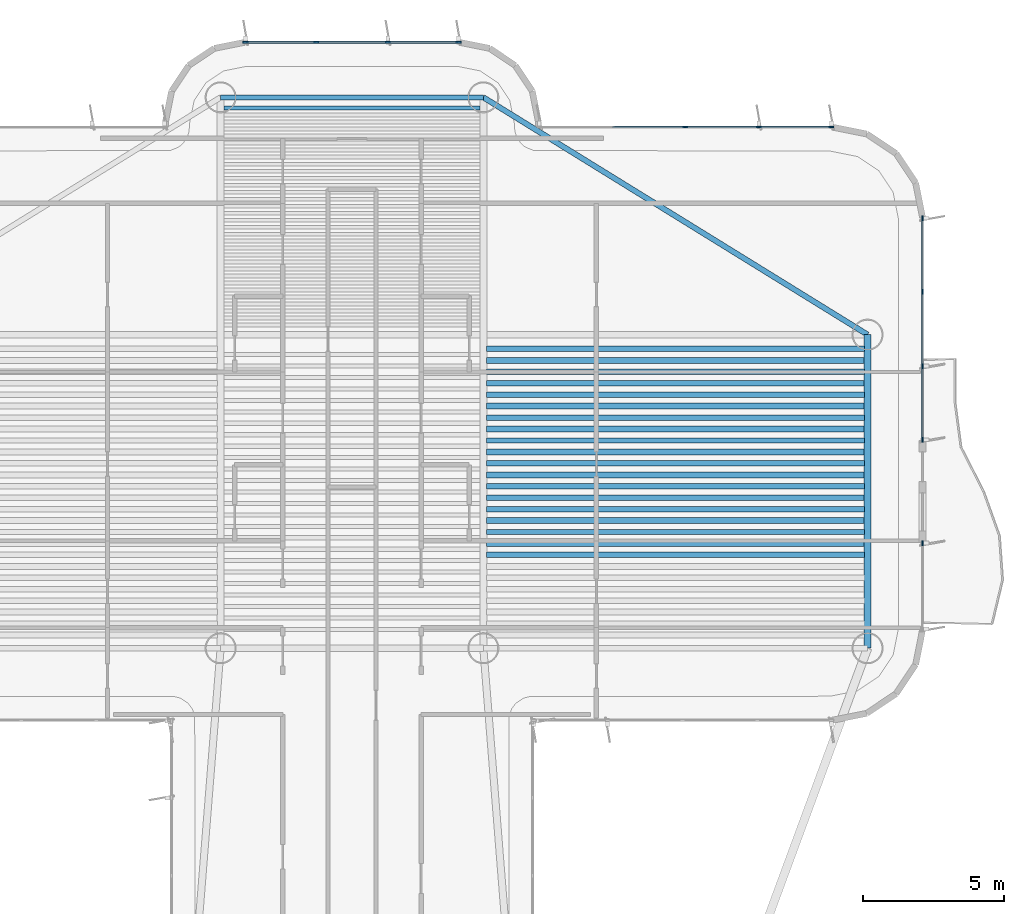
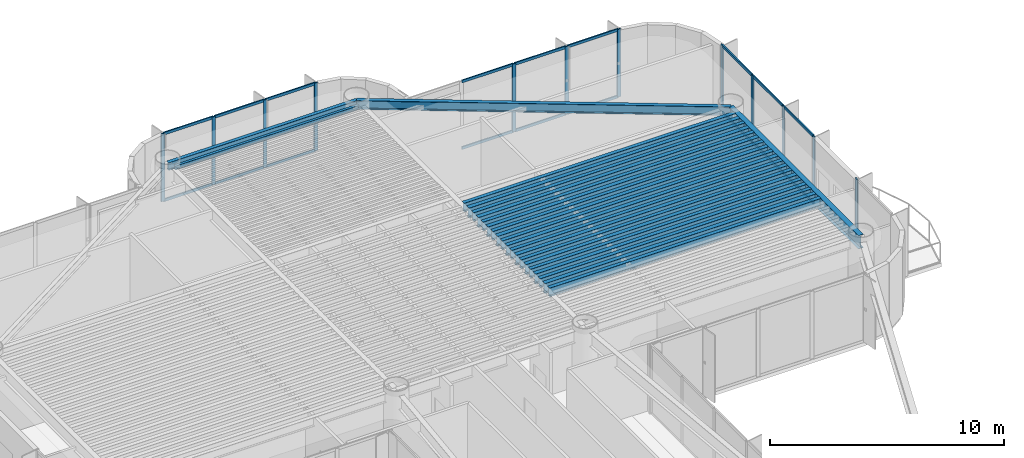
# One storey, part 7 of 15: 30 members, 23 beams, 4 elements without a shape of their own.
"""IFC4 building model written with IfcOpenShell, lengths in metres."""

from ifc_helpers import new_model, si_unit, direction, frame, origin, origin_2d, place, context, subcontext, project, spatial, rectangle, i_section, extrude, source, transform, mapped, material, layer, layer_set, material_profile, profile_set, type_object, element, aggregate, save


model = new_model("IFC4")

# Units and contexts
model_context = context("Model", 3, precision=1e-05, world=origin(), true_north=direction((0.0, 1.0)))
body_context = subcontext(model_context, "Body", "Model", "MODEL_VIEW")
ifc_project = project(units=[si_unit("LENGTHUNIT", "METRE"), si_unit("AREAUNIT", "SQUARE_METRE"), si_unit("VOLUMEUNIT", "CUBIC_METRE"), si_unit("PLANEANGLEUNIT", "RADIAN"), si_unit("MASSUNIT", "GRAM", prefix="KILO")], contexts=[model_context])

# Site, building, storey
site_placement = place(None, origin())
site = spatial("IfcSite", under=ifc_project, at=site_placement, CompositionType="ELEMENT")
building_placement = place(site_placement, origin())
building = spatial("IfcBuilding", under=site, at=building_placement, Name="Brelvock Crest Care Tower", CompositionType="ELEMENT")
storey_placement = place(building_placement, frame((0.0, 0.0, 167.760009765625)))
storey = spatial("IfcBuildingStorey", under=building, at=storey_placement, Name="L42", CompositionType="ELEMENT", Elevation=167.760009765625)

# Beams
ifc_material_1 = material(Name="Steel Grade 350", Category="steel")
ifc_material_profile_1 = material_profile(ifc_material_1, i_section(OverallWidth=0.177978515625, OverallDepth=0.406005859375, WebThickness=0.0078125, FlangeThickness=0.0126953125, FilletRadius=0.011474609375, at=origin_2d()), Name="410UB59.7")
ifc_profile_set_1 = profile_set([ifc_material_profile_1], Name="Steel Grade 350")
beam_type_1 = type_object("IfcBeamType", Name="BM-SP1", PredefinedType="SPANDREL", material=ifc_profile_set_1)
shared_shape_1 = source(origin(), body_context, "Body", "SweptSolid", [
    extrude(i_section(OverallWidth=0.177978515625, OverallDepth=0.406005859375, WebThickness=0.0078125, FlangeThickness=0.0126953125, FilletRadius=0.011474609375, at=origin_2d()), origin(), (0.0, 0.0, 1.0), 9.2998046875),
])
beam_1_placement = place(storey_placement, frame((31.35009765625, 54.449951171875, 3.326904296875), z_axis=(1.0, 0.0, 0.0), x_axis=(0.0, 1.0, 0.0)))
element("IfcBeam", 1, at=beam_1_placement, inside=storey, type_object=beam_type_1, Name="BM-TWR-L42-08", PredefinedType="SPANDREL", context=body_context, shape_type="MappedRepresentation", body=[
    mapped(shared_shape_1, transform((0.0, 0.0, 0.0), x_axis=(1.0, 0.0, 0.0), y_axis=(0.0, 1.0, 0.0), z_axis=(0.0, 0.0, 1.0), scale=1.0)),
])
ifc_material_profile_2 = material_profile(ifc_material_1, i_section(OverallWidth=0.134033203125, OverallDepth=0.20703125, WebThickness=0.00634765625, FlangeThickness=0.009521484375, FilletRadius=0.0087890625, at=origin_2d()), Name="200UB29.8")
ifc_profile_set_2 = profile_set([ifc_material_profile_2], Name="Steel Grade 350")
beam_type_2 = type_object("IfcBeamType", Name="BM-J4", PredefinedType="JOIST", material=ifc_profile_set_2)
shared_shape_2 = source(origin(), body_context, "Body", "SweptSolid", [
    extrude(i_section(OverallWidth=0.134033203125, OverallDepth=0.20703125, WebThickness=0.00634765625, FlangeThickness=0.009521484375, FilletRadius=0.0087890625, at=origin_2d()), origin(), (0.0, 0.0, 1.0), 9.06982421875),
])
beam_2_placement = place(storey_placement, frame((31.465087890625, 54.06787109375, 3.426513671875), z_axis=(1.0, 0.0, 0.0), x_axis=(0.0, 1.0, 0.0)))
element("IfcBeam", 2, at=beam_2_placement, inside=storey, type_object=beam_type_2, Name="BM-JN-L42-32", PredefinedType="JOIST", context=body_context, shape_type="MappedRepresentation", body=[
    mapped(shared_shape_2, transform((0.0, 0.0, 0.0), x_axis=(1.0, 0.0, 0.0), y_axis=(0.0, 1.0, 0.0), z_axis=(0.0, 0.0, 1.0), scale=1.0)),
])
ifc_material_profile_3 = material_profile(ifc_material_1, i_section(OverallWidth=0.208984375, OverallDepth=0.532958984375, WebThickness=0.01025390625, FlangeThickness=0.015625, FilletRadius=0.013916015625, at=origin_2d()), Name="530UB92.4")
ifc_profile_set_3 = profile_set([ifc_material_profile_3], Name="Steel Grade 350")
beam_type_3 = type_object("IfcBeamType", Name="BM-G2", PredefinedType="BEAM", material=ifc_profile_set_3)
shared_shape_3 = source(origin(), body_context, "Body", "SweptSolid", [
    extrude(i_section(OverallWidth=0.208984375, OverallDepth=0.532958984375, WebThickness=0.01025390625, FlangeThickness=0.015625, FilletRadius=0.013916015625, at=origin_2d()), origin(), (0.0, 0.0, 1.0), 13.3701171875),
])
for number, where, z_axis, x_axis, name in (
    (3, (40.764892578125, 38.657470703125, 3.263427734375), (1.0, 0.0, 0.0), (0.0, 1.0, 0.0), "BM-JE-L42-9"),
    (4, (40.764892578125, 39.4677734375, 3.263427734375), (1.0, 0.0, 0.0), (0.0, 1.0, 0.0), "BM-JE-L42-11"),
    (5, (40.764892578125, 40.278076171875, 3.263427734375), (1.0, 0.0, 0.0), (0.0, 1.0, 0.0), "BM-JE-L42-13"),
    (6, (40.764892578125, 41.08837890625, 3.263427734375), (1.0, 0.0, 0.0), (0.0, 1.0, 0.0), "BM-JE-L42-15"),
    (7, (40.764892578125, 41.898681640625, 3.263427734375), (1.0, 0.0, 0.0), (0.0, 1.0, 0.0), "BM-JE-L42-17"),
    (8, (40.764892578125, 42.708984375, 3.263427734375), (1.0, 0.0, 0.0), (0.0, 1.0, 0.0), "BM-JE-L42-19"),
    (9, (40.764892578125, 43.519287109375, 3.263427734375), (1.0, 0.0, 0.0), (0.0, 1.0, 0.0), "BM-JE-L42-21"),
    (10, (40.764892578125, 44.32958984375, 3.263427734375), (1.0, 0.0, 0.0), (0.0, 1.0, 0.0), "BM-JE-L42-23"),
    (11, (40.764892578125, 45.139892578125, 3.263427734375), (1.0, 0.0, 0.0), (0.0, 1.0, 0.0), "BM-JE-L42-25"),
):
    element("IfcBeam", number, at=place(storey_placement, frame(where, z_axis=z_axis, x_axis=x_axis)), inside=storey, type_object=beam_type_3, Name=name, PredefinedType="BEAM", context=body_context, shape_type="MappedRepresentation", body=[
        mapped(shared_shape_3, transform((0.0, 0.0, 0.0), x_axis=(1.0, 0.0, 0.0), y_axis=(0.0, 1.0, 0.0), z_axis=(0.0, 0.0, 1.0), scale=1.0)),
    ])
ifc_material_profile_4 = material_profile(ifc_material_1, i_section(OverallWidth=0.19091796875, OverallDepth=0.4599609375, WebThickness=0.010009765625, FlangeThickness=0.01611328125, FilletRadius=0.011474609375, at=origin_2d()), Name="460UB82.1")
ifc_profile_set_4 = profile_set([ifc_material_profile_4], Name="Steel Grade 350")
beam_type_4 = type_object("IfcBeamType", Name="BM-G3", PredefinedType="BEAM", material=ifc_profile_set_4)
shared_shape_4 = source(origin(), body_context, "Body", "SweptSolid", [
    extrude(i_section(OverallWidth=0.19091796875, OverallDepth=0.4599609375, WebThickness=0.010009765625, FlangeThickness=0.01611328125, FilletRadius=0.011474609375, at=origin_2d()), origin(), (0.0, 0.0, 1.0), 13.3701171875),
])
for number, where, z_axis, x_axis, name in (
    (12, (40.764892578125, 38.252197265625, 3.300048828125), (1.0, 0.0, 0.0), (0.0, 1.0, 0.0), "BM-JE-L42-8"),
    (13, (40.764892578125, 39.0625, 3.300048828125), (1.0, 0.0, 0.0), (0.0, 1.0, 0.0), "BM-JE-L42-10"),
    (14, (40.764892578125, 39.872802734375, 3.300048828125), (1.0, 0.0, 0.0), (0.0, 1.0, 0.0), "BM-JE-L42-12"),
    (15, (40.764892578125, 40.68310546875, 3.300048828125), (1.0, 0.0, 0.0), (0.0, 1.0, 0.0), "BM-JE-L42-14"),
    (16, (40.764892578125, 41.493408203125, 3.300048828125), (1.0, 0.0, 0.0), (0.0, 1.0, 0.0), "BM-JE-L42-16"),
    (17, (40.764892578125, 42.3037109375, 3.300048828125), (1.0, 0.0, 0.0), (0.0, 1.0, 0.0), "BM-JE-L42-18"),
    (18, (40.764892578125, 43.114013671875, 3.300048828125), (1.0, 0.0, 0.0), (0.0, 1.0, 0.0), "BM-JE-L42-20"),
    (19, (40.764892578125, 43.92431640625, 3.300048828125), (1.0, 0.0, 0.0), (0.0, 1.0, 0.0), "BM-JE-L42-22"),
    (20, (40.764892578125, 44.734619140625, 3.300048828125), (1.0, 0.0, 0.0), (0.0, 1.0, 0.0), "BM-JE-L42-24"),
    (21, (40.764892578125, 45.544921875, 3.300048828125), (1.0, 0.0, 0.0), (0.0, 1.0, 0.0), "BM-JE-L42-26"),
):
    element("IfcBeam", number, at=place(storey_placement, frame(where, z_axis=z_axis, x_axis=x_axis)), inside=storey, type_object=beam_type_4, Name=name, PredefinedType="BEAM", context=body_context, shape_type="MappedRepresentation", body=[
        mapped(shared_shape_4, transform((0.0, 0.0, 0.0), x_axis=(1.0, 0.0, 0.0), y_axis=(0.0, 1.0, 0.0), z_axis=(0.0, 0.0, 1.0), scale=1.0)),
    ])
ifc_material_profile_5 = material_profile(ifc_material_1, i_section(OverallWidth=0.25, OverallDepth=0.699951171875, WebThickness=0.011962890625, FlangeThickness=0.02001953125, at=origin_2d()), Name="700WB150")
ifc_profile_set_5 = profile_set([ifc_material_profile_5], Name="Steel Grade 350")
beam_type_5 = type_object("IfcBeamType", Name="BM-G4", PredefinedType="BEAM", material=ifc_profile_set_5)
shared_shape_5 = source(origin(), body_context, "Body", "SweptSolid", [
    extrude(i_section(OverallWidth=0.25, OverallDepth=0.699951171875, WebThickness=0.011962890625, FlangeThickness=0.02001953125, at=origin_2d()), origin(), (0.0, 0.0, 1.0), 11.10009765625),
])
beam_3_placement = place(storey_placement, frame((54.25, 34.949951171875, 3.179931640625), z_axis=(0.0, 1.0, 0.0), x_axis=(-1.0, 0.0, 0.0)))
element("IfcBeam", 22, at=beam_3_placement, inside=storey, type_object=beam_type_5, Name="BM-TWR-L42-02", PredefinedType="BEAM", context=body_context, shape_type="MappedRepresentation", body=[
    mapped(shared_shape_5, transform((0.0, 0.0, 0.0), x_axis=(1.0, 0.0, 0.0), y_axis=(0.0, 1.0, 0.0), z_axis=(0.0, 0.0, 1.0), scale=1.0)),
])
ifc_material_profile_6 = material_profile(ifc_material_1, i_section(OverallWidth=0.19091796875, OverallDepth=0.4599609375, WebThickness=0.010009765625, FlangeThickness=0.01611328125, FilletRadius=0.011474609375, at=origin_2d()), Name="460UB82.1")
ifc_profile_set_6 = profile_set([ifc_material_profile_6], Name="Steel Grade 350")
beam_type_6 = type_object("IfcBeamType", Name="BM-SP2", PredefinedType="SPANDREL", material=ifc_profile_set_6)
shared_shape_6 = source(origin(), body_context, "Body", "SweptSolid", [
    extrude(i_section(OverallWidth=0.19091796875, OverallDepth=0.4599609375, WebThickness=0.010009765625, FlangeThickness=0.01611328125, FilletRadius=0.011474609375, at=origin_2d()), origin(), (0.0, 0.0, 1.0), 15.985107421875),
])
beam_4_placement = place(storey_placement, frame((40.64990234375, 54.449951171875, 3.300048828125), z_axis=(0.850802415717, -0.525485727124, 0.0), x_axis=(0.525485727124, 0.850802415717, 0.0)))
element("IfcBeam", 23, at=beam_4_placement, inside=storey, type_object=beam_type_6, Name="BM-TWR-L42-07", PredefinedType="SPANDREL", context=body_context, shape_type="MappedRepresentation", body=[
    mapped(shared_shape_6, transform((0.0, 0.0, 0.0), x_axis=(1.0, 0.0, 0.0), y_axis=(0.0, 1.0, 0.0), z_axis=(0.0, 0.0, 1.0), scale=1.0)),
])

# Curtain wall, members
ifc_material_2 = material(Name="Dark Glass Double Glazed Low-E", Category="glass")
ifc_layer = layer(ifc_material_2, 0.22509765625, Name="CWS-4")
ifc_layer_set = layer_set([ifc_layer], Name="Dark Glass Double Glazed Low-E")
curtain_wall_type = type_object("IfcCurtainWallType", Name="CWS-4", PredefinedType="NOTDEFINED", material=ifc_layer_set)
curtain_wall_1_placement = place(storey_placement, origin())
curtain_wall_1 = element("IfcCurtainWall", 24, at=curtain_wall_1_placement, inside=storey, type_object=curtain_wall_type, Name="L42 Curtain Wall E28", PredefinedType="NOTDEFINED")
ifc_material_3 = material(Name="Aluminium 6063-T6", Category="aluminium")
ifc_material_profile_7 = material_profile(ifc_material_3, rectangle(XDim=0.06005859375, YDim=0.179931640625, at=origin_2d()), Name="ALU60x180")
ifc_profile_set_7 = profile_set([ifc_material_profile_7], Name="Aluminium 6063-T6")
member_type_1 = type_object("IfcMemberType", Name="CWM-2", PredefinedType="MULLION", material=ifc_profile_set_7)
shared_shape_7 = source(origin(), body_context, "Body", "SweptSolid", [
    extrude(rectangle(XDim=0.06005859375, YDim=0.179931640625, at=origin_2d()), origin(), (0.0, 0.0, 1.0), 3.530029296875),
])
member_1_placement = place(storey_placement, frame((32.22998046875, 56.39990234375, 0.0), z_axis=(0.0, 0.0, 1.0), x_axis=(0.0, 1.0, 0.0)))
member_1 = element("IfcMember", 25, at=member_1_placement, type_object=member_type_1, Name="CW-4 mullion 1", PredefinedType="MULLION", context=body_context, shape_type="MappedRepresentation", body=[
    mapped(shared_shape_7, transform((0.0, 0.0, 0.0), x_axis=(1.0, 0.0, 0.0), y_axis=(0.0, 1.0, 0.0), z_axis=(0.0, 0.0, 1.0), scale=1.0)),
])
member_2_placement = place(storey_placement, frame((34.7333984375, 56.39990234375, 0.0), z_axis=(0.0, 0.0, 1.0), x_axis=(0.0, 1.0, 0.0)))
member_2 = element("IfcMember", 26, at=member_2_placement, type_object=member_type_1, Name="CW-4 mullion 2", PredefinedType="MULLION", context=body_context, shape_type="MappedRepresentation", body=[
    mapped(shared_shape_7, transform((0.0, 0.0, 0.0), x_axis=(1.0, 0.0, 0.0), y_axis=(0.0, 1.0, 0.0), z_axis=(0.0, 0.0, 1.0), scale=1.0)),
])
member_3_placement = place(storey_placement, frame((37.2666015625, 56.39990234375, 0.0), z_axis=(0.0, 0.0, 1.0), x_axis=(0.0, 1.0, 0.0)))
member_3 = element("IfcMember", 27, at=member_3_placement, type_object=member_type_1, Name="CW-4 mullion 3", PredefinedType="MULLION", context=body_context, shape_type="MappedRepresentation", body=[
    mapped(shared_shape_7, transform((0.0, 0.0, 0.0), x_axis=(1.0, 0.0, 0.0), y_axis=(0.0, 1.0, 0.0), z_axis=(0.0, 0.0, 1.0), scale=1.0)),
])
member_4_placement = place(storey_placement, frame((39.77001953125, 56.39990234375, 0.0), z_axis=(0.0, 0.0, 1.0), x_axis=(0.0, 1.0, 0.0)))
member_4 = element("IfcMember", 28, at=member_4_placement, type_object=member_type_1, Name="CW-4 mullion 4", PredefinedType="MULLION", context=body_context, shape_type="MappedRepresentation", body=[
    mapped(shared_shape_7, transform((0.0, 0.0, 0.0), x_axis=(1.0, 0.0, 0.0), y_axis=(0.0, 1.0, 0.0), z_axis=(0.0, 0.0, 1.0), scale=1.0)),
])

curtain_wall_2_placement = place(storey_placement, origin())
curtain_wall_2 = element("IfcCurtainWall", 29, at=curtain_wall_2_placement, inside=storey, type_object=curtain_wall_type, Name="L42 Curtain Wall E34", PredefinedType="NOTDEFINED")
member_5_placement = place(storey_placement, frame((47.800048828125, 53.39990234375, 0.0), z_axis=(0.0, 0.0, 1.0), x_axis=(0.0, 1.0, 0.0)))
member_5 = element("IfcMember", 30, at=member_5_placement, type_object=member_type_1, Name="CW-4 mullion 3", PredefinedType="MULLION", context=body_context, shape_type="MappedRepresentation", body=[
    mapped(shared_shape_7, transform((0.0, 0.0, 0.0), x_axis=(1.0, 0.0, 0.0), y_axis=(0.0, 1.0, 0.0), z_axis=(0.0, 0.0, 1.0), scale=1.0)),
])
member_6_placement = place(storey_placement, frame((50.39990234375, 53.39990234375, 0.0), z_axis=(0.0, 0.0, 1.0), x_axis=(0.0, 1.0, 0.0)))
member_6 = element("IfcMember", 31, at=member_6_placement, type_object=member_type_1, Name="CW-4 mullion 4", PredefinedType="MULLION", context=body_context, shape_type="MappedRepresentation", body=[
    mapped(shared_shape_7, transform((0.0, 0.0, 0.0), x_axis=(1.0, 0.0, 0.0), y_axis=(0.0, 1.0, 0.0), z_axis=(0.0, 0.0, 1.0), scale=1.0)),
])
member_7_placement = place(storey_placement, frame((52.969970703125, 53.39990234375, 0.0), z_axis=(0.0, 0.0, 1.0), x_axis=(0.0, 1.0, 0.0)))
member_7 = element("IfcMember", 32, at=member_7_placement, type_object=member_type_1, Name="CW-4 mullion 5", PredefinedType="MULLION", context=body_context, shape_type="MappedRepresentation", body=[
    mapped(shared_shape_7, transform((0.0, 0.0, 0.0), x_axis=(1.0, 0.0, 0.0), y_axis=(0.0, 1.0, 0.0), z_axis=(0.0, 0.0, 1.0), scale=1.0)),
])

curtain_wall_3_placement = place(storey_placement, origin())
curtain_wall_3 = element("IfcCurtainWall", 33, at=curtain_wall_3_placement, inside=storey, type_object=curtain_wall_type, Name="L42 Curtain Wall E39A", PredefinedType="NOTDEFINED")
member_8_placement = place(storey_placement, frame((56.199951171875, 50.169921875, 0.0), z_axis=(0.0, 0.0, 1.0), x_axis=(1.0, 0.0, 0.0)))
member_8 = element("IfcMember", 34, at=member_8_placement, type_object=member_type_1, Name="CW-4 mullion 1", PredefinedType="MULLION", context=body_context, shape_type="MappedRepresentation", body=[
    mapped(shared_shape_7, transform((0.0, 0.0, 0.0), x_axis=(1.0, 0.0, 0.0), y_axis=(0.0, 1.0, 0.0), z_axis=(0.0, 0.0, 1.0), scale=1.0)),
])
member_9_placement = place(storey_placement, frame((56.199951171875, 47.566650390625, 0.0), z_axis=(0.0, 0.0, 1.0), x_axis=(1.0, 0.0, 0.0)))
member_9 = element("IfcMember", 35, at=member_9_placement, type_object=member_type_1, Name="CW-4 mullion 2", PredefinedType="MULLION", context=body_context, shape_type="MappedRepresentation", body=[
    mapped(shared_shape_7, transform((0.0, 0.0, 0.0), x_axis=(1.0, 0.0, 0.0), y_axis=(0.0, 1.0, 0.0), z_axis=(0.0, 0.0, 1.0), scale=1.0)),
])
member_10_placement = place(storey_placement, frame((56.199951171875, 44.933349609375, 0.0), z_axis=(0.0, 0.0, 1.0), x_axis=(1.0, 0.0, 0.0)))
member_10 = element("IfcMember", 36, at=member_10_placement, type_object=member_type_1, Name="CW-4 mullion 3", PredefinedType="MULLION", context=body_context, shape_type="MappedRepresentation", body=[
    mapped(shared_shape_7, transform((0.0, 0.0, 0.0), x_axis=(1.0, 0.0, 0.0), y_axis=(0.0, 1.0, 0.0), z_axis=(0.0, 0.0, 1.0), scale=1.0)),
])
member_11_placement = place(storey_placement, frame((56.199951171875, 42.330078125, 0.0), z_axis=(0.0, 0.0, 1.0), x_axis=(1.0, 0.0, 0.0)))
member_11 = element("IfcMember", 37, at=member_11_placement, type_object=member_type_1, Name="CW-4 mullion 4", PredefinedType="MULLION", context=body_context, shape_type="MappedRepresentation", body=[
    mapped(shared_shape_7, transform((0.0, 0.0, 0.0), x_axis=(1.0, 0.0, 0.0), y_axis=(0.0, 1.0, 0.0), z_axis=(0.0, 0.0, 1.0), scale=1.0)),
])

# Curtain wall, member
curtain_wall_4_placement = place(storey_placement, origin())
curtain_wall_4 = element("IfcCurtainWall", 38, at=curtain_wall_4_placement, inside=storey, type_object=curtain_wall_type, Name="L42 Curtain Wall E39B", PredefinedType="NOTDEFINED")
member_12_placement = place(storey_placement, frame((56.199951171875, 38.669921875, 0.0), z_axis=(0.0, 0.0, 1.0), x_axis=(1.0, 0.0, 0.0)))
member_12 = element("IfcMember", 39, at=member_12_placement, type_object=member_type_1, Name="CW-4 mullion 1", PredefinedType="MULLION", context=body_context, shape_type="MappedRepresentation", body=[
    mapped(shared_shape_7, transform((0.0, 0.0, 0.0), x_axis=(1.0, 0.0, 0.0), y_axis=(0.0, 1.0, 0.0), z_axis=(0.0, 0.0, 1.0), scale=1.0)),
])
aggregate(curtain_wall_4, [member_12])

# Member
ifc_material_profile_8 = material_profile(ifc_material_3, rectangle(XDim=0.06005859375, YDim=0.139892578125, at=origin_2d()), Name="ALU60x140")
ifc_profile_set_8 = profile_set([ifc_material_profile_8], Name="Aluminium 6063-T6")
member_type_2 = type_object("IfcMemberType", Name="CWT-2", PredefinedType="USERDEFINED", material=ifc_profile_set_8)
shared_shape_8 = source(origin(), body_context, "Body", "SweptSolid", [
    extrude(rectangle(XDim=0.06005859375, YDim=0.139892578125, at=origin_2d()), origin(), (0.0, 0.0, 1.0), 2.443359375),
])
member_13_placement = place(storey_placement, frame((32.260009765625, 56.39990234375, 0.030029296875), z_axis=(1.0, 0.0, 0.0), x_axis=(0.0, 1.0, 0.0)))
member_13 = element("IfcMember", 40, at=member_13_placement, type_object=member_type_2, Name="CW-4 transom 1.1", ObjectType="TRANSOM", PredefinedType="USERDEFINED", context=body_context, shape_type="MappedRepresentation", body=[
    mapped(shared_shape_8, transform((0.0, 0.0, 0.0), x_axis=(1.0, 0.0, 0.0), y_axis=(0.0, 1.0, 0.0), z_axis=(0.0, 0.0, 1.0), scale=1.0)),
])

member_14_placement = place(storey_placement, frame((32.260009765625, 56.39990234375, 3.5), z_axis=(1.0, 0.0, 0.0), x_axis=(0.0, 1.0, 0.0)))
member_14 = element("IfcMember", 41, at=member_14_placement, type_object=member_type_2, Name="CW-4 transom 1.2", ObjectType="TRANSOM", PredefinedType="USERDEFINED", context=body_context, shape_type="MappedRepresentation", body=[
    mapped(shared_shape_8, transform((0.0, 0.0, 0.0), x_axis=(1.0, 0.0, 0.0), y_axis=(0.0, 1.0, 0.0), z_axis=(0.0, 0.0, 1.0), scale=1.0)),
])

member_15_placement = place(storey_placement, frame((37.296630859375, 56.39990234375, 0.030029296875), z_axis=(1.0, 0.0, 0.0), x_axis=(0.0, 1.0, 0.0)))
member_15 = element("IfcMember", 42, at=member_15_placement, type_object=member_type_2, Name="CW-4 transom 3.1", ObjectType="TRANSOM", PredefinedType="USERDEFINED", context=body_context, shape_type="MappedRepresentation", body=[
    mapped(shared_shape_8, transform((0.0, 0.0, 0.0), x_axis=(1.0, 0.0, 0.0), y_axis=(0.0, 1.0, 0.0), z_axis=(0.0, 0.0, 1.0), scale=1.0)),
])

member_16_placement = place(storey_placement, frame((37.296630859375, 56.39990234375, 3.5), z_axis=(1.0, 0.0, 0.0), x_axis=(0.0, 1.0, 0.0)))
member_16 = element("IfcMember", 43, at=member_16_placement, type_object=member_type_2, Name="CW-4 transom 3.2", ObjectType="TRANSOM", PredefinedType="USERDEFINED", context=body_context, shape_type="MappedRepresentation", body=[
    mapped(shared_shape_8, transform((0.0, 0.0, 0.0), x_axis=(1.0, 0.0, 0.0), y_axis=(0.0, 1.0, 0.0), z_axis=(0.0, 0.0, 1.0), scale=1.0)),
])

shared_shape_9 = source(origin(), body_context, "Body", "SweptSolid", [
    extrude(rectangle(XDim=0.06005859375, YDim=0.139892578125, at=origin_2d()), origin(), (0.0, 0.0, 1.0), 2.47314453125),
])
member_17_placement = place(storey_placement, frame((34.763427734375, 56.39990234375, 0.030029296875), z_axis=(1.0, 0.0, 0.0), x_axis=(0.0, 1.0, 0.0)))
member_17 = element("IfcMember", 44, at=member_17_placement, type_object=member_type_2, Name="CW-4 transom 2.1", ObjectType="TRANSOM", PredefinedType="USERDEFINED", context=body_context, shape_type="MappedRepresentation", body=[
    mapped(shared_shape_9, transform((0.0, 0.0, 0.0), x_axis=(1.0, 0.0, 0.0), y_axis=(0.0, 1.0, 0.0), z_axis=(0.0, 0.0, 1.0), scale=1.0)),
])

member_18_placement = place(storey_placement, frame((34.763427734375, 56.39990234375, 3.5), z_axis=(1.0, 0.0, 0.0), x_axis=(0.0, 1.0, 0.0)))
member_18 = element("IfcMember", 45, at=member_18_placement, type_object=member_type_2, Name="CW-4 transom 2.2", ObjectType="TRANSOM", PredefinedType="USERDEFINED", context=body_context, shape_type="MappedRepresentation", body=[
    mapped(shared_shape_9, transform((0.0, 0.0, 0.0), x_axis=(1.0, 0.0, 0.0), y_axis=(0.0, 1.0, 0.0), z_axis=(0.0, 0.0, 1.0), scale=1.0)),
])

aggregate(curtain_wall_1, [member_1, member_2, member_3, member_4, member_13, member_14, member_17, member_18, member_15, member_16])

shared_shape_10 = source(origin(), body_context, "Body", "SweptSolid", [
    extrude(rectangle(XDim=0.06005859375, YDim=0.139892578125, at=origin_2d()), origin(), (0.0, 0.0, 1.0), 2.510009765625),
])
member_19_placement = place(storey_placement, frame((50.429931640625, 53.39990234375, 0.030029296875), z_axis=(1.0, 0.0, 0.0), x_axis=(0.0, 1.0, 0.0)))
member_19 = element("IfcMember", 46, at=member_19_placement, type_object=member_type_2, Name="CW-4 transom 4.1", ObjectType="TRANSOM", PredefinedType="USERDEFINED", context=body_context, shape_type="MappedRepresentation", body=[
    mapped(shared_shape_10, transform((0.0, 0.0, 0.0), x_axis=(1.0, 0.0, 0.0), y_axis=(0.0, 1.0, 0.0), z_axis=(0.0, 0.0, 1.0), scale=1.0)),
])

member_20_placement = place(storey_placement, frame((50.429931640625, 53.39990234375, 3.5), z_axis=(1.0, 0.0, 0.0), x_axis=(0.0, 1.0, 0.0)))
member_20 = element("IfcMember", 47, at=member_20_placement, type_object=member_type_2, Name="CW-4 transom 4.2", ObjectType="TRANSOM", PredefinedType="USERDEFINED", context=body_context, shape_type="MappedRepresentation", body=[
    mapped(shared_shape_10, transform((0.0, 0.0, 0.0), x_axis=(1.0, 0.0, 0.0), y_axis=(0.0, 1.0, 0.0), z_axis=(0.0, 0.0, 1.0), scale=1.0)),
])

shared_shape_11 = source(origin(), body_context, "Body", "SweptSolid", [
    extrude(rectangle(XDim=0.06005859375, YDim=0.139892578125, at=origin_2d()), origin(), (0.0, 0.0, 1.0), 2.5400390625),
])
member_21_placement = place(storey_placement, frame((45.22998046875, 53.39990234375, 0.030029296875), z_axis=(1.0, 0.0, 0.0), x_axis=(0.0, 1.0, 0.0)))
member_21 = element("IfcMember", 48, at=member_21_placement, type_object=member_type_2, Name="CW-4 transom 2.1", ObjectType="TRANSOM", PredefinedType="USERDEFINED", context=body_context, shape_type="MappedRepresentation", body=[
    mapped(shared_shape_11, transform((0.0, 0.0, 0.0), x_axis=(1.0, 0.0, 0.0), y_axis=(0.0, 1.0, 0.0), z_axis=(0.0, 0.0, 1.0), scale=1.0)),
])

member_22_placement = place(storey_placement, frame((45.22998046875, 53.39990234375, 3.5), z_axis=(1.0, 0.0, 0.0), x_axis=(0.0, 1.0, 0.0)))
member_22 = element("IfcMember", 49, at=member_22_placement, type_object=member_type_2, Name="CW-4 transom 2.2", ObjectType="TRANSOM", PredefinedType="USERDEFINED", context=body_context, shape_type="MappedRepresentation", body=[
    mapped(shared_shape_11, transform((0.0, 0.0, 0.0), x_axis=(1.0, 0.0, 0.0), y_axis=(0.0, 1.0, 0.0), z_axis=(0.0, 0.0, 1.0), scale=1.0)),
])

member_23_placement = place(storey_placement, frame((47.830078125, 53.39990234375, 0.030029296875), z_axis=(1.0, 0.0, 0.0), x_axis=(0.0, 1.0, 0.0)))
member_23 = element("IfcMember", 50, at=member_23_placement, type_object=member_type_2, Name="CW-4 transom 3.1", ObjectType="TRANSOM", PredefinedType="USERDEFINED", context=body_context, shape_type="MappedRepresentation", body=[
    mapped(shared_shape_11, transform((0.0, 0.0, 0.0), x_axis=(1.0, 0.0, 0.0), y_axis=(0.0, 1.0, 0.0), z_axis=(0.0, 0.0, 1.0), scale=1.0)),
])

member_24_placement = place(storey_placement, frame((47.830078125, 53.39990234375, 3.5), z_axis=(1.0, 0.0, 0.0), x_axis=(0.0, 1.0, 0.0)))
member_24 = element("IfcMember", 51, at=member_24_placement, type_object=member_type_2, Name="CW-4 transom 3.2", ObjectType="TRANSOM", PredefinedType="USERDEFINED", context=body_context, shape_type="MappedRepresentation", body=[
    mapped(shared_shape_11, transform((0.0, 0.0, 0.0), x_axis=(1.0, 0.0, 0.0), y_axis=(0.0, 1.0, 0.0), z_axis=(0.0, 0.0, 1.0), scale=1.0)),
])

aggregate(curtain_wall_2, [member_5, member_6, member_7, member_21, member_22, member_23, member_24, member_19, member_20])

shared_shape_12 = source(origin(), body_context, "Body", "SweptSolid", [
    extrude(rectangle(XDim=0.06005859375, YDim=0.139892578125, at=origin_2d()), origin(), (0.0, 0.0, 1.0), 2.543212890625),
])
member_25_placement = place(storey_placement, frame((56.199951171875, 50.139892578125, 0.030029296875), z_axis=(0.0, -1.0, 0.0), x_axis=(1.0, 0.0, 0.0)))
member_25 = element("IfcMember", 52, at=member_25_placement, type_object=member_type_2, Name="CW-4 transom 1.1", ObjectType="TRANSOM", PredefinedType="USERDEFINED", context=body_context, shape_type="MappedRepresentation", body=[
    mapped(shared_shape_12, transform((0.0, 0.0, 0.0), x_axis=(1.0, 0.0, 0.0), y_axis=(0.0, 1.0, 0.0), z_axis=(0.0, 0.0, 1.0), scale=1.0)),
])

member_26_placement = place(storey_placement, frame((56.199951171875, 50.139892578125, 3.5), z_axis=(0.0, -1.0, 0.0), x_axis=(1.0, 0.0, 0.0)))
member_26 = element("IfcMember", 53, at=member_26_placement, type_object=member_type_2, Name="CW-4 transom 1.2", ObjectType="TRANSOM", PredefinedType="USERDEFINED", context=body_context, shape_type="MappedRepresentation", body=[
    mapped(shared_shape_12, transform((0.0, 0.0, 0.0), x_axis=(1.0, 0.0, 0.0), y_axis=(0.0, 1.0, 0.0), z_axis=(0.0, 0.0, 1.0), scale=1.0)),
])

member_27_placement = place(storey_placement, frame((56.199951171875, 44.9033203125, 0.030029296875), z_axis=(0.0, -1.0, 0.0), x_axis=(1.0, 0.0, 0.0)))
member_27 = element("IfcMember", 54, at=member_27_placement, type_object=member_type_2, Name="CW-4 transom 3.1", ObjectType="TRANSOM", PredefinedType="USERDEFINED", context=body_context, shape_type="MappedRepresentation", body=[
    mapped(shared_shape_12, transform((0.0, 0.0, 0.0), x_axis=(1.0, 0.0, 0.0), y_axis=(0.0, 1.0, 0.0), z_axis=(0.0, 0.0, 1.0), scale=1.0)),
])

member_28_placement = place(storey_placement, frame((56.199951171875, 44.9033203125, 3.5), z_axis=(0.0, -1.0, 0.0), x_axis=(1.0, 0.0, 0.0)))
member_28 = element("IfcMember", 55, at=member_28_placement, type_object=member_type_2, Name="CW-4 transom 3.2", ObjectType="TRANSOM", PredefinedType="USERDEFINED", context=body_context, shape_type="MappedRepresentation", body=[
    mapped(shared_shape_12, transform((0.0, 0.0, 0.0), x_axis=(1.0, 0.0, 0.0), y_axis=(0.0, 1.0, 0.0), z_axis=(0.0, 0.0, 1.0), scale=1.0)),
])

shared_shape_13 = source(origin(), body_context, "Body", "SweptSolid", [
    extrude(rectangle(XDim=0.06005859375, YDim=0.139892578125, at=origin_2d()), origin(), (0.0, 0.0, 1.0), 2.5732421875),
])
member_29_placement = place(storey_placement, frame((56.199951171875, 47.53662109375, 0.030029296875), z_axis=(0.0, -1.0, 0.0), x_axis=(1.0, 0.0, 0.0)))
member_29 = element("IfcMember", 56, at=member_29_placement, type_object=member_type_2, Name="CW-4 transom 2.1", ObjectType="TRANSOM", PredefinedType="USERDEFINED", context=body_context, shape_type="MappedRepresentation", body=[
    mapped(shared_shape_13, transform((0.0, 0.0, 0.0), x_axis=(1.0, 0.0, 0.0), y_axis=(0.0, 1.0, 0.0), z_axis=(0.0, 0.0, 1.0), scale=1.0)),
])

member_30_placement = place(storey_placement, frame((56.199951171875, 47.53662109375, 3.5), z_axis=(0.0, -1.0, 0.0), x_axis=(1.0, 0.0, 0.0)))
member_30 = element("IfcMember", 57, at=member_30_placement, type_object=member_type_2, Name="CW-4 transom 2.2", ObjectType="TRANSOM", PredefinedType="USERDEFINED", context=body_context, shape_type="MappedRepresentation", body=[
    mapped(shared_shape_13, transform((0.0, 0.0, 0.0), x_axis=(1.0, 0.0, 0.0), y_axis=(0.0, 1.0, 0.0), z_axis=(0.0, 0.0, 1.0), scale=1.0)),
])

aggregate(curtain_wall_3, [member_8, member_9, member_10, member_11, member_25, member_26, member_29, member_30, member_27, member_28])

save(model, "model.ifc")
